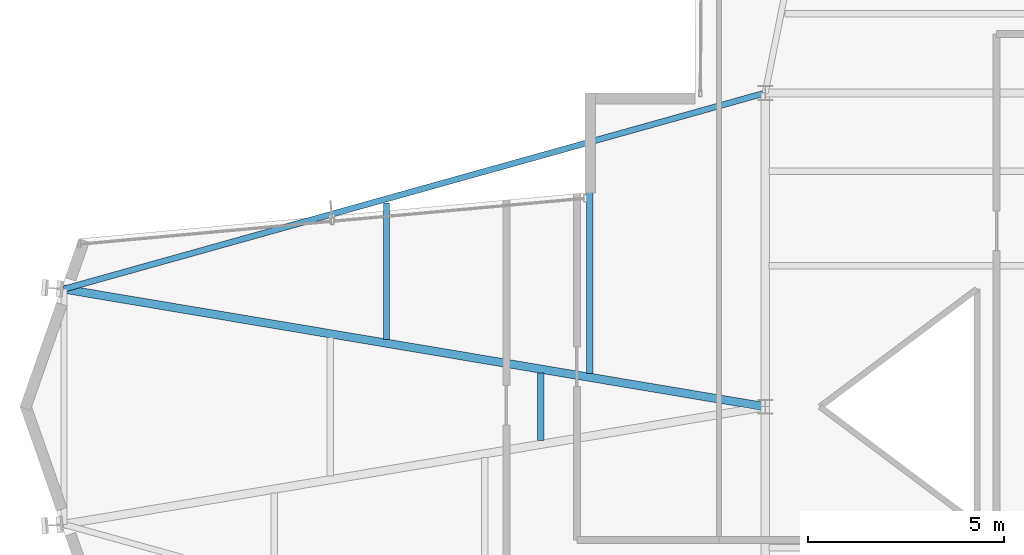
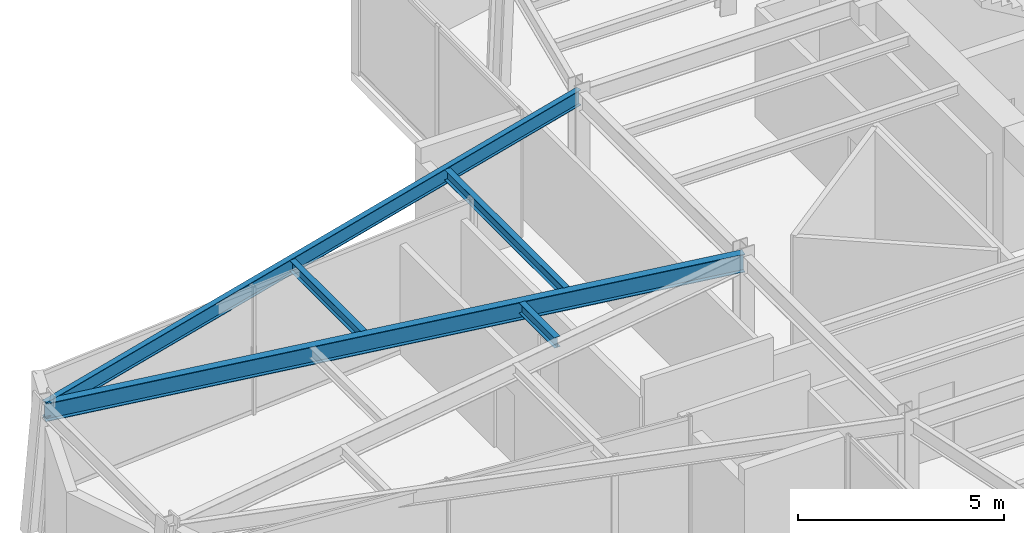
# One storey, part 10 of 23: 5 beams.
"""IFC4 building model written with IfcOpenShell, lengths in metres."""

from ifc_helpers import new_model, si_unit, direction, frame, origin, origin_2d, place, context, subcontext, project, spatial, i_section, extrude, material, material_profile, profile_set, type_object, element, save


model = new_model("IFC4")

# Units and contexts
model_context = context("Model", 3, precision=1e-05, world=origin(), true_north=direction((0.0, 1.0)))
body_context = subcontext(model_context, "Body", "Model", "MODEL_VIEW")
ifc_project = project(units=[si_unit("LENGTHUNIT", "METRE"), si_unit("AREAUNIT", "SQUARE_METRE"), si_unit("VOLUMEUNIT", "CUBIC_METRE"), si_unit("PLANEANGLEUNIT", "RADIAN"), si_unit("MASSUNIT", "GRAM", prefix="KILO")], contexts=[model_context])

# Site, building, storey
site_placement = place(None, origin())
site = spatial("IfcSite", under=ifc_project, at=site_placement, CompositionType="ELEMENT")
building_placement = place(site_placement, origin())
building = spatial("IfcBuilding", under=site, at=building_placement, Name="Veymaron Broadcast Tower", CompositionType="ELEMENT")
storey_placement = place(building_placement, frame((0.0, 0.0, 199.949951171875)))
storey = spatial("IfcBuildingStorey", under=building, at=storey_placement, Name="L46", CompositionType="ELEMENT", Elevation=199.949951171875)

# Beams
ifc_material = material(Name="Structural steel ASTM A992 Gr 50", Category="steel")
ifc_material_profile_1 = material_profile(ifc_material, i_section(OverallWidth=0.2099609375, OverallDepth=0.537109375, WebThickness=0.010986328125, FlangeThickness=0.017333984375, at=origin_2d()), Name="W530X101")
ifc_profile_set_1 = profile_set([ifc_material_profile_1], Name="Structural steel ASTM A992 Gr 50")
beam_type_1 = type_object("IfcBeamType", Name="BM-FG3", PredefinedType="BEAM", material=ifc_profile_set_1)
beam_1_placement = place(storey_placement, frame((13.320068359375, 27.0, 3.521484375), z_axis=(0.986214273988, -0.165473278152, 0.0), x_axis=(0.165473278152, 0.986214273988, 0.0)))
element("IfcBeam", 1, at=beam_1_placement, inside=storey, type_object=beam_type_1, Name="L46 primary structural floor girder", PredefinedType="BEAM", context=body_context, shape_type="SweptSolid", body=[
    extrude(i_section(OverallWidth=0.2099609375, OverallDepth=0.537109375, WebThickness=0.010986328125, FlangeThickness=0.017333984375, at=origin_2d()), origin(), (0.0, 0.0, 1.0), 18.1298828125),
])
ifc_material_profile_2 = material_profile(ifc_material, i_section(OverallWidth=0.1650390625, OverallDepth=0.31005859375, WebThickness=0.005859375, FlangeThickness=0.009765625, at=origin_2d()), Name="W310X39")
ifc_profile_set_2 = profile_set([ifc_material_profile_2], Name="Structural steel ASTM A992 Gr 50")
beam_type_2 = type_object("IfcBeamType", Name="BM-JS3", PredefinedType="JOIST", material=ifc_profile_set_2)
beam_2_placement = place(storey_placement, frame((21.544921875, 25.719970703125, 3.635009765625), z_axis=(0.0, 1.0, 0.0), x_axis=(-1.0, 0.0, 0.0)))
element("IfcBeam", 2, at=beam_2_placement, inside=storey, type_object=beam_type_2, Name="L46 Arm-A secondary joist 1N", PredefinedType="JOIST", context=body_context, shape_type="SweptSolid", body=[
    extrude(i_section(OverallWidth=0.1650390625, OverallDepth=0.31005859375, WebThickness=0.005859375, FlangeThickness=0.009765625, at=origin_2d()), origin(), (0.0, 0.0, 1.0), 3.47998046875),
])
beam_3_placement = place(storey_placement, frame((25.478515625, 23.139892578125, 3.635009765625), z_axis=(0.0, 1.0, 0.0), x_axis=(-1.0, 0.0, 0.0)))
element("IfcBeam", 3, at=beam_3_placement, inside=storey, type_object=beam_type_2, Name="L46 Arm-A secondary joist 2M", PredefinedType="JOIST", context=body_context, shape_type="SweptSolid", body=[
    extrude(i_section(OverallWidth=0.1650390625, OverallDepth=0.31005859375, WebThickness=0.005859375, FlangeThickness=0.009765625, at=origin_2d()), origin(), (0.0, 0.0, 1.0), 1.72021484375),
])
beam_4_placement = place(storey_placement, frame((26.72998046875, 24.85009765625, 3.635009765625), z_axis=(0.0, 1.0, 0.0), x_axis=(-1.0, 0.0, 0.0)))
element("IfcBeam", 4, at=beam_4_placement, inside=storey, type_object=beam_type_2, Name="L46 Arm-A secondary joist 2N", PredefinedType="JOIST", context=body_context, shape_type="SweptSolid", body=[
    extrude(i_section(OverallWidth=0.1650390625, OverallDepth=0.31005859375, WebThickness=0.005859375, FlangeThickness=0.009765625, at=origin_2d()), origin(), (0.0, 0.0, 1.0), 5.7998046875),
])
ifc_material_profile_3 = material_profile(ifc_material, i_section(OverallWidth=0.154052734375, OverallDepth=0.458984375, WebThickness=0.009033203125, FlangeThickness=0.015380859375, at=origin_2d()), Name="W460X68")
ifc_profile_set_3 = profile_set([ifc_material_profile_3], Name="Structural steel ASTM A992 Gr 50")
beam_type_3 = type_object("IfcBeamType", Name="BM-SP2", PredefinedType="SPANDREL", material=ifc_profile_set_3)
beam_5_placement = place(storey_placement, frame((13.320068359375, 27.0, 3.560546875), z_axis=(0.963053012566, 0.269311891656, 0.0), x_axis=(-0.269311891656, 0.963053012566, 0.0)))
element("IfcBeam", 5, at=beam_5_placement, inside=storey, type_object=beam_type_3, Name="L46 primary structural floor girder", PredefinedType="SPANDREL", context=body_context, shape_type="SweptSolid", body=[
    extrude(i_section(OverallWidth=0.154052734375, OverallDepth=0.458984375, WebThickness=0.009033203125, FlangeThickness=0.015380859375, at=origin_2d()), origin(), (0.0, 0.0, 1.0), 18.56591796875),
])

save(model, "model.ifc")
